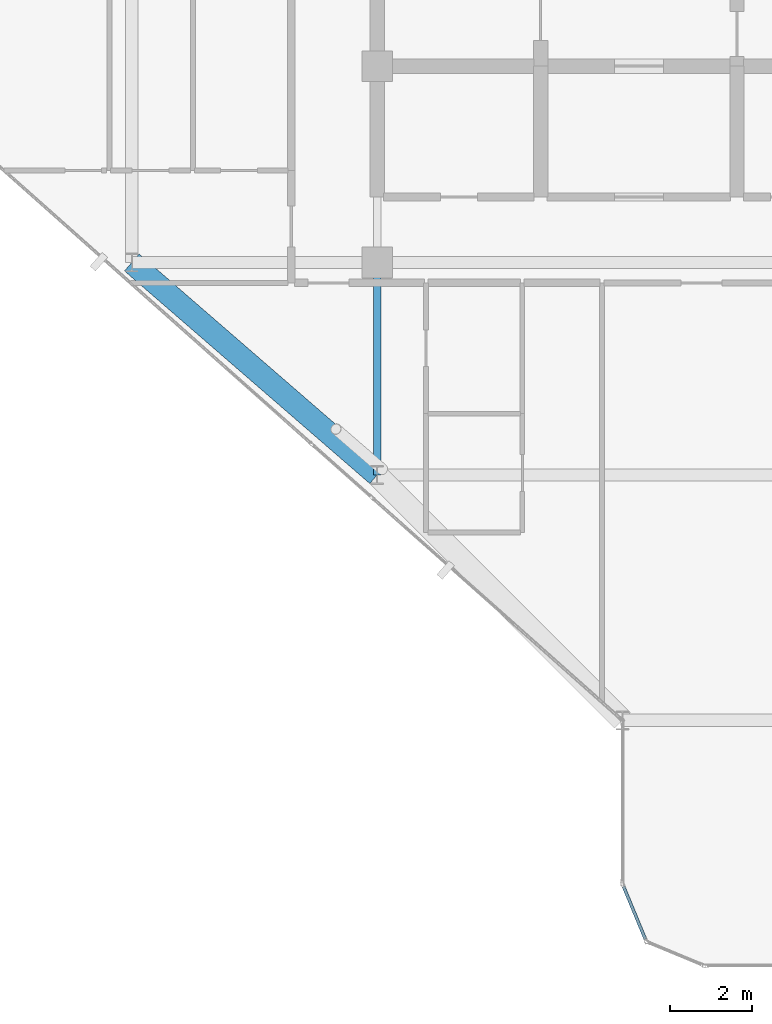
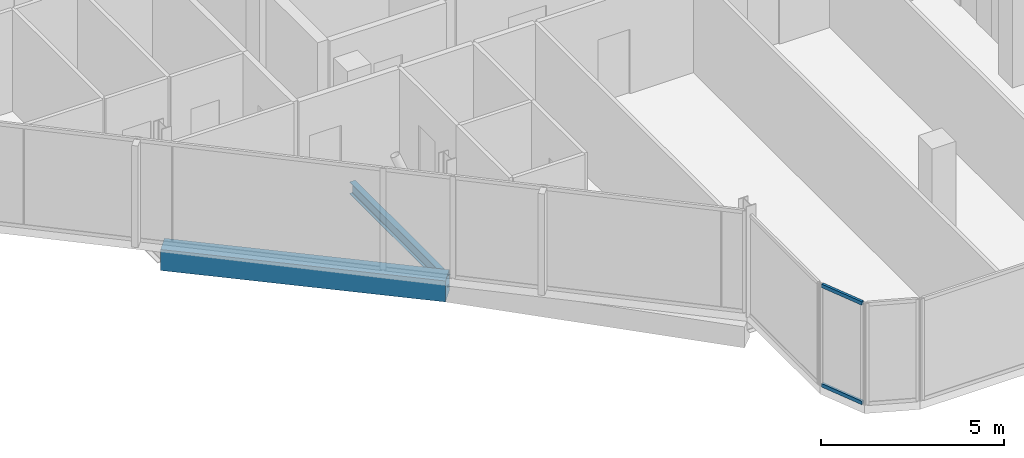
# One storey, part 5 of 29: 2 beams, 2 members, 1 element without a shape of its own.
"""IFC4 building model written with IfcOpenShell, lengths in metres."""

from ifc_helpers import new_model, si_unit, direction, frame, origin, origin_2d, place, context, subcontext, project, spatial, rectangle, hollow_rectangle, i_section, extrude, material, layer, layer_set, material_profile, profile_set, type_object, element, aggregate, save


model = new_model("IFC4")

# Units and contexts
model_context = context("Model", 3, precision=1e-05, world=origin(), true_north=direction((0.0, 1.0)))
body_context = subcontext(model_context, "Body", "Model", "MODEL_VIEW")
ifc_project = project(units=[si_unit("LENGTHUNIT", "METRE"), si_unit("AREAUNIT", "SQUARE_METRE"), si_unit("VOLUMEUNIT", "CUBIC_METRE"), si_unit("PLANEANGLEUNIT", "RADIAN"), si_unit("MASSUNIT", "GRAM", prefix="KILO")], contexts=[model_context])

# Site, building, storey
site_placement = place(None, origin())
site = spatial("IfcSite", under=ifc_project, at=site_placement, CompositionType="ELEMENT")
building_placement = place(site_placement, origin())
building = spatial("IfcBuilding", under=site, at=building_placement, Name="Keshet Zoharim Tower", CompositionType="ELEMENT")
storey_placement = place(building_placement, frame((0.0, 0.0, 226.5)))
storey = spatial("IfcBuildingStorey", under=building, at=storey_placement, Name="L56", CompositionType="ELEMENT", Elevation=226.5)

# Beams
ifc_material_1 = material(Name="Steel S355", Category="steel")
ifc_material_profile_1 = material_profile(ifc_material_1, i_section(OverallWidth=0.179931640625, OverallDepth=0.39990234375, WebThickness=0.008544921875, FlangeThickness=0.013427734375, FilletRadius=0.02099609375, at=origin_2d()), Name="IPE400")
ifc_profile_set_1 = profile_set([ifc_material_profile_1], Name="Steel S355")
beam_type_1 = type_object("IfcBeamType", Name="BM-PRI-IP400", PredefinedType="BEAM", material=ifc_profile_set_1)
beam_1_placement = place(storey_placement, frame((15.0, 12.699951171875, -0.510009765625), z_axis=(0.0, 1.0, 0.0), x_axis=(-1.0, 0.0, 0.0)))
element("IfcBeam", 1, at=beam_1_placement, inside=storey, type_object=beam_type_1, Name="L56 Primary Girder Y-002", PredefinedType="BEAM", context=body_context, shape_type="SweptSolid", body=[
    extrude(i_section(OverallWidth=0.179931640625, OverallDepth=0.39990234375, WebThickness=0.008544921875, FlangeThickness=0.013427734375, FilletRadius=0.02099609375, at=origin_2d()), origin(), (0.0, 0.0, 1.0), 5.199951171875),
])
ifc_material_2 = material(Name="Concrete C50/60", Category="concrete")
ifc_material_profile_2 = material_profile(ifc_material_2, rectangle(XDim=0.550048828125, YDim=0.699951171875, at=origin_2d()), Name="RC700x550")
ifc_profile_set_2 = profile_set([ifc_material_profile_2], Name="Concrete C50/60")
beam_type_2 = type_object("IfcBeamType", Name="BM-SPN-700", PredefinedType="SPANDREL", material=ifc_profile_set_2)
beam_2_placement = place(storey_placement, frame((9.0, 17.89990234375, -0.659912109375), z_axis=(0.755692126483, -0.654927026447, 0.0), x_axis=(0.654927026447, 0.755692126483, 0.0)))
element("IfcBeam", 2, at=beam_2_placement, inside=storey, type_object=beam_type_2, Name="L56 Perimeter Spandrel Beam 02", PredefinedType="SPANDREL", context=body_context, shape_type="SweptSolid", body=[
    extrude(rectangle(XDim=0.550048828125, YDim=0.699951171875, at=origin_2d()), origin(), (0.0, 0.0, 1.0), 7.939697265625),
])

# Curtain wall, members
ifc_material_3 = material(Name="Aluminium 6063-T6", Category="aluminium")
ifc_layer = layer(ifc_material_3, 0.139892578125)
ifc_layer_set = layer_set([ifc_layer], Name="Aluminium 6063-T6")
curtain_wall_type = type_object("IfcCurtainWallType", Name="CW-SYS-05", PredefinedType="NOTDEFINED", material=ifc_layer_set)
curtain_wall_placement = place(storey_placement, origin())
curtain_wall = element("IfcCurtainWall", 3, at=curtain_wall_placement, inside=storey, type_object=curtain_wall_type, Name="L56 Unitised Curtain Wall 08", PredefinedType="NOTDEFINED")
ifc_material_profile_3 = material_profile(ifc_material_3, hollow_rectangle(XDim=0.074951171875, YDim=0.1201171875, WallThickness=0.00390625, at=origin_2d()), Name="TRN-75x120")
ifc_profile_set_3 = profile_set([ifc_material_profile_3], Name="Aluminium 6063-T6")
member_type = type_object("IfcMemberType", Name="CWT-T12", PredefinedType="USERDEFINED", material=ifc_profile_set_3)
member_1_placement = place(storey_placement, frame((21.55908203125, 1.3505859375, 0.034912109375), z_axis=(-0.382744609247, 0.923854189844, 0.0), x_axis=(-0.923854189844, -0.382744609247, 0.0)))
member_1 = element("IfcMember", 4, at=member_1_placement, type_object=member_type, Name="CW-05 transom 1.1", ObjectType="TRANSOM", PredefinedType="USERDEFINED", context=body_context, shape_type="SweptSolid", body=[
    extrude(hollow_rectangle(XDim=0.074951171875, YDim=0.1201171875, WallThickness=0.00390625, at=origin_2d()), origin(), (0.0, 0.0, 1.0), 1.390625),
])
member_2_placement = place(storey_placement, frame((21.55908203125, 1.3505859375, 3.35498046875), z_axis=(-0.382744609247, 0.923854189844, 0.0), x_axis=(-0.923854189844, -0.382744609247, 0.0)))
member_2 = element("IfcMember", 5, at=member_2_placement, type_object=member_type, Name="CW-05 transom 1.2", ObjectType="TRANSOM", PredefinedType="USERDEFINED", context=body_context, shape_type="SweptSolid", body=[
    extrude(hollow_rectangle(XDim=0.074951171875, YDim=0.1201171875, WallThickness=0.00390625, at=origin_2d()), origin(), (0.0, 0.0, 1.0), 1.390625),
])
aggregate(curtain_wall, [member_1, member_2])

save(model, "model.ifc")
